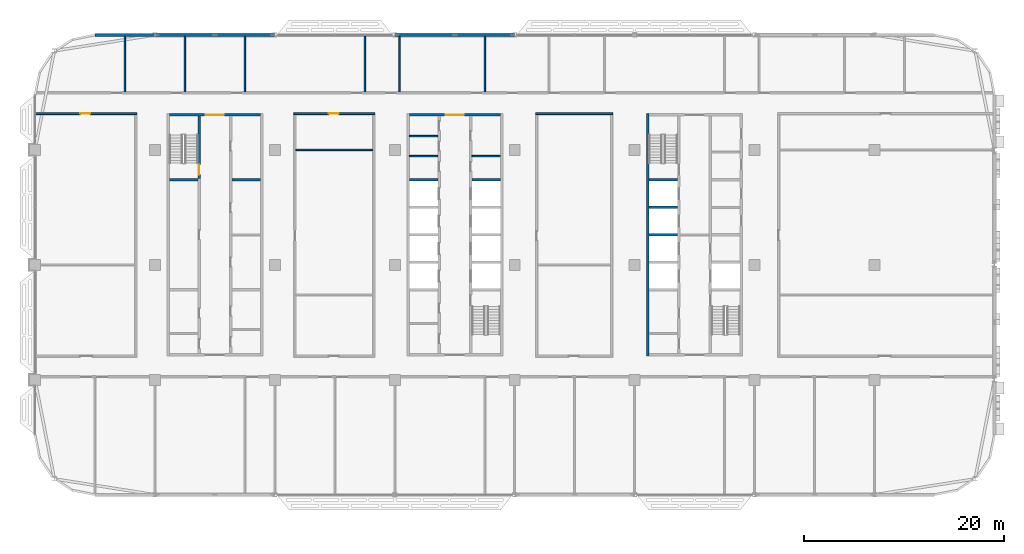
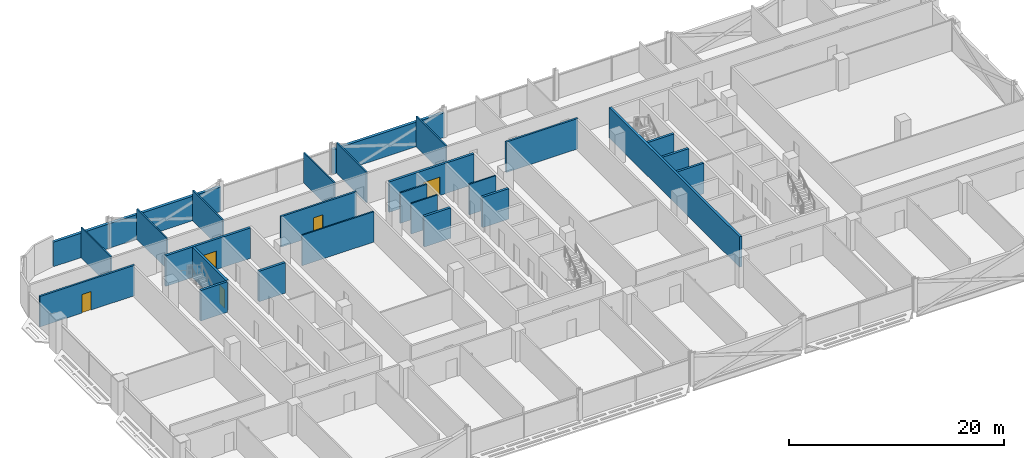
# One storey, part 15 of 30: 27 walls, 5 doors, 5 openings.
"""IFC4 building model written with IfcOpenShell, lengths in metres."""

from ifc_helpers import new_model, si_unit, direction, frame, frame_2d, origin, place, context, subcontext, project, spatial, rectangle, extrude, material, layer, layer_set, type_object, element, fill, save


model = new_model("IFC4")

# Units and contexts
model_context = context("Model", 3, precision=1e-05, world=origin(), true_north=direction((0.0, 1.0)))
body_context = subcontext(model_context, "Body", "Model", "MODEL_VIEW")
ifc_project = project(units=[si_unit("LENGTHUNIT", "METRE"), si_unit("AREAUNIT", "SQUARE_METRE"), si_unit("VOLUMEUNIT", "CUBIC_METRE"), si_unit("PLANEANGLEUNIT", "RADIAN"), si_unit("MASSUNIT", "GRAM", prefix="KILO")], contexts=[model_context])

# Site, building, storey
site_placement = place(None, origin())
site = spatial("IfcSite", under=ifc_project, at=site_placement, CompositionType="ELEMENT")
building_placement = place(site_placement, origin())
building = spatial("IfcBuilding", under=site, at=building_placement, Name="Mahtab Terrace Research Tower", CompositionType="ELEMENT")
storey_placement = place(building_placement, frame((0.0, 0.0, 205.300048828125)))
storey = spatial("IfcBuildingStorey", under=building, at=storey_placement, Name="L49", CompositionType="ELEMENT", Elevation=205.300048828125)

# Walls
ifc_material_1 = material(Name="Gypsum board partition")
ifc_layer_1 = layer(ifc_material_1, 0.14990234375)
ifc_layer_set_1 = layer_set([ifc_layer_1], Name="Core partition 150")
wall_type_1 = type_object("IfcWallType", Name="Core partition 150", PredefinedType="PARTITIONING", material=ifc_layer_set_1)
for number, where, z_axis, x_axis, name in (
    (1, (-4.550048828125, 10.875, 0.0), (0.0, 0.0, 1.0), (1.0, 0.0, 0.0), "Core wall B pWN788"),
    (2, (-4.550048828125, 12.875, 0.0), (0.0, 0.0, 1.0), (1.0, 0.0, 0.0), "Core wall B pWN988"),
    (3, (1.699951171875, 10.875, 0.0), (0.0, 0.0, 1.0), (1.0, 0.0, 0.0), "Core wall B pEN788"),
):
    element("IfcWall", number, at=place(storey_placement, frame(where, z_axis=z_axis, x_axis=x_axis)), inside=storey, type_object=wall_type_1, Name=name, PredefinedType="PARTITIONING", context=body_context, shape_type="SweptSolid", body=[
        extrude(rectangle(XDim=2.85009765625, YDim=0.14990234375, at=frame_2d((1.425048828125, 0.0))), origin(), (0.0, 0.0, 1.0), 3.4599609375),
    ])

# Wall, opening, door
ifc_material_2 = material(Name="Concrete C70/85", Category="concrete")
ifc_layer_2 = layer(ifc_material_2, 0.25)
ifc_layer_set_2 = layer_set([ifc_layer_2], Name="Core wall 250")
wall_type_2 = type_object("IfcWallType", Name="Core wall 250", PredefinedType="SOLIDWALL", material=ifc_layer_set_2)
wall_1_placement = place(storey_placement, frame((-28.550048828125, 15.0, 0.0), z_axis=(0.0, 0.0, 1.0), x_axis=(1.0, 0.0, 0.0)))
wall_1 = element("IfcWall", 4, at=wall_1_placement, inside=storey, type_object=wall_type_2, Name="Core wall A endN", PredefinedType="SOLIDWALL", context=body_context, shape_type="SweptSolid", body=[
    extrude(rectangle(XDim=9.10009765625, YDim=0.25, at=frame_2d((4.550048828125, 0.0))), origin(), (0.0, 0.0, 1.0), 3.4599609375),
])
opening_1_placement = place(wall_1_placement, frame((3.64990234375, 0.0, 0.0)))
opening_1 = element("IfcOpeningElement", 5, at=opening_1_placement, cuts=wall_1, Name="Opening A-N1", PredefinedType="OPENING", context=body_context, shape_type="SweptSolid", body=[
    extrude(rectangle(XDim=1.800048828125, YDim=2.10009765625, at=frame_2d((0.89990234375, 1.050048828125))), frame((0.0, 0.135009765625, 0.0), z_axis=(0.0, -1.0, 0.0), x_axis=(1.0, 0.0, 0.0)), (0.0, 0.0, 1.0), 0.27001953125),
])
ifc_material_3 = material(Name="Steel fire door", Category="steel")
door_type_1 = type_object("IfcDoorType", Name="Lobby double door 1800x2100 1 HR", OperationType="DOUBLE_DOOR_SINGLE_SWING", PredefinedType="DOOR", material=ifc_material_3)
door_1_placement = place(opening_1_placement, origin())
door_1 = element("IfcDoor", 6, at=door_1_placement, inside=storey, type_object=door_type_1, Name="Core entrance door A N", OperationType="DOUBLE_DOOR_SINGLE_SWING", OverallHeight=2.10009765625, OverallWidth=1.800048828125, PredefinedType="DOOR", context=body_context, shape_type="SweptSolid", body=[
    extrude(rectangle(XDim=1.800048828125, YDim=2.10009765625, at=frame_2d((0.89990234375, 1.050048828125))), frame((0.0, 0.02490234375, 0.0), z_axis=(0.0, -1.0, 0.0), x_axis=(1.0, 0.0, 0.0)), (0.0, 0.0, 1.0), 0.050048828125),
])
fill(opening_1, door_1)

wall_2_placement = place(storey_placement, frame((-25.574951171875, 14.875, 0.0), z_axis=(0.0, 0.0, 1.0), x_axis=(0.0, -1.0, 0.0)))
wall_2 = element("IfcWall", 7, at=wall_2_placement, inside=storey, type_object=wall_type_2, Name="Core wall A innerWN", PredefinedType="SOLIDWALL", context=body_context, shape_type="SweptSolid", body=[
    extrude(rectangle(XDim=6.25, YDim=0.25, at=frame_2d((3.125, 0.0))), origin(), (0.0, 0.0, 1.0), 3.4599609375),
])
opening_2_placement = place(wall_2_placement, frame((4.85009765625, 0.0, 0.0)))
opening_2 = element("IfcOpeningElement", 8, at=opening_2_placement, cuts=wall_2, Name="Opening A-ST1", PredefinedType="OPENING", context=body_context, shape_type="SweptSolid", body=[
    extrude(rectangle(XDim=1.0, YDim=2.10009765625, at=frame_2d((0.5, 1.050048828125))), frame((0.0, 0.135009765625, 0.0), z_axis=(0.0, -1.0, 0.0), x_axis=(1.0, 0.0, 0.0)), (0.0, 0.0, 1.0), 0.27001953125),
])
door_type_2 = type_object("IfcDoorType", Name="Stair door 1000x2100 1.5 HR", OperationType="NOTDEFINED", PredefinedType="DOOR", material=ifc_material_3)
door_2_placement = place(opening_2_placement, origin())
door_2 = element("IfcDoor", 9, at=door_2_placement, inside=storey, type_object=door_type_2, Name="Stair door ST1 L49", OperationType="SINGLE_SWING_LEFT", OverallHeight=2.10009765625, OverallWidth=1.0, PredefinedType="DOOR", context=body_context, shape_type="SweptSolid", body=[
    extrude(rectangle(XDim=1.0, YDim=2.10009765625, at=frame_2d((0.5, 1.050048828125))), frame((0.0, 0.02490234375, 0.0), z_axis=(0.0, -1.0, 0.0), x_axis=(1.0, 0.0, 0.0)), (0.0, 0.0, 1.0), 0.050048828125),
])
fill(opening_2, door_2)

# Walls
for number, where, z_axis, x_axis, name in (
    (10, (-28.550048828125, 8.5, 0.0), (0.0, 0.0, 1.0), (1.0, 0.0, 0.0), "Core wall A divW4"),
    (11, (-22.300048828125, 8.5, 0.0), (0.0, 0.0, 1.0), (1.0, 0.0, 0.0), "Core wall A divE4"),
):
    element("IfcWall", number, at=place(storey_placement, frame(where, z_axis=z_axis, x_axis=x_axis)), inside=storey, type_object=wall_type_2, Name=name, PredefinedType="SOLIDWALL", context=body_context, shape_type="SweptSolid", body=[
        extrude(rectangle(XDim=2.85009765625, YDim=0.25, at=frame_2d((1.425048828125, 0.0))), origin(), (0.0, 0.0, 1.0), 3.4599609375),
    ])

# Wall, opening, door
wall_3_placement = place(storey_placement, frame((-4.550048828125, 15.0, 0.0), z_axis=(0.0, 0.0, 1.0), x_axis=(1.0, 0.0, 0.0)))
wall_3 = element("IfcWall", 12, at=wall_3_placement, inside=storey, type_object=wall_type_2, Name="Core wall B endN", PredefinedType="SOLIDWALL", context=body_context, shape_type="SweptSolid", body=[
    extrude(rectangle(XDim=9.10009765625, YDim=0.25, at=frame_2d((4.550048828125, 0.0))), origin(), (0.0, 0.0, 1.0), 3.4599609375),
])
opening_3_placement = place(wall_3_placement, frame((3.64990234375, 0.0, 0.0)))
opening_3 = element("IfcOpeningElement", 13, at=opening_3_placement, cuts=wall_3, Name="Opening B-N1", PredefinedType="OPENING", context=body_context, shape_type="SweptSolid", body=[
    extrude(rectangle(XDim=1.800048828125, YDim=2.10009765625, at=frame_2d((0.89990234375, 1.050048828125))), frame((0.0, 0.135009765625, 0.0), z_axis=(0.0, -1.0, 0.0), x_axis=(1.0, 0.0, 0.0)), (0.0, 0.0, 1.0), 0.27001953125),
])
door_3_placement = place(opening_3_placement, origin())
door_3 = element("IfcDoor", 14, at=door_3_placement, inside=storey, type_object=door_type_1, Name="Core entrance door B N", OperationType="DOUBLE_DOOR_SINGLE_SWING", OverallHeight=2.10009765625, OverallWidth=1.800048828125, PredefinedType="DOOR", context=body_context, shape_type="SweptSolid", body=[
    extrude(rectangle(XDim=1.800048828125, YDim=2.10009765625, at=frame_2d((0.89990234375, 1.050048828125))), frame((0.0, 0.02490234375, 0.0), z_axis=(0.0, -1.0, 0.0), x_axis=(1.0, 0.0, 0.0)), (0.0, 0.0, 1.0), 0.050048828125),
])
fill(opening_3, door_3)

# Walls
for number, where, z_axis, x_axis, name in (
    (15, (-4.550048828125, 8.5, 0.0), (0.0, 0.0, 1.0), (1.0, 0.0, 0.0), "Core wall B divW4"),
    (16, (1.699951171875, 8.5, 0.0), (0.0, 0.0, 1.0), (1.0, 0.0, 0.0), "Core wall B divE4"),
):
    element("IfcWall", number, at=place(storey_placement, frame(where, z_axis=z_axis, x_axis=x_axis)), inside=storey, type_object=wall_type_2, Name=name, PredefinedType="SOLIDWALL", context=body_context, shape_type="SweptSolid", body=[
        extrude(rectangle(XDim=2.85009765625, YDim=0.25, at=frame_2d((1.425048828125, 0.0))), origin(), (0.0, 0.0, 1.0), 3.4599609375),
    ])
wall_4_placement = place(storey_placement, frame((19.324951171875, 15.125, 0.0), z_axis=(0.0, 0.0, 1.0), x_axis=(0.0, -1.0, 0.0)))
element("IfcWall", 17, at=wall_4_placement, inside=storey, type_object=wall_type_2, Name="Core wall C outerW", PredefinedType="SOLIDWALL", context=body_context, shape_type="SweptSolid", body=[
    extrude(rectangle(XDim=24.25, YDim=0.25, at=frame_2d((12.125, 0.0))), origin(), (0.0, 0.0, 1.0), 3.4599609375),
])
for number, where, z_axis, x_axis, name in (
    (18, (19.449951171875, 3.0, 0.0), (0.0, 0.0, 1.0), (1.0, 0.0, 0.0), "Core wall C divW2"),
    (19, (19.449951171875, 5.75, 0.0), (0.0, 0.0, 1.0), (1.0, 0.0, 0.0), "Core wall C divW3"),
    (20, (19.449951171875, 8.5, 0.0), (0.0, 0.0, 1.0), (1.0, 0.0, 0.0), "Core wall C divW4"),
):
    element("IfcWall", number, at=place(storey_placement, frame(where, z_axis=z_axis, x_axis=x_axis)), inside=storey, type_object=wall_type_2, Name=name, PredefinedType="SOLIDWALL", context=body_context, shape_type="SweptSolid", body=[
        extrude(rectangle(XDim=2.85009765625, YDim=0.25, at=frame_2d((1.425048828125, 0.0))), origin(), (0.0, 0.0, 1.0), 3.4599609375),
    ])
ifc_material_4 = material(Name="Black aluminium cladding panel", Category="aluminium")
ifc_layer_3 = layer(ifc_material_4, 0.300048828125)
ifc_layer_set_3 = layer_set([ifc_layer_3], Name="Opaque facade wall 300")
wall_type_3 = type_object("IfcWallType", Name="Opaque facade wall 300", PredefinedType="NOTDEFINED", material=ifc_layer_set_3)
for number, where, z_axis, x_axis, name in (
    (21, (5.987548828125, 23.0, 0.0), (0.0, 0.0, 1.0), (-1.0, 0.0, 0.0), "Opaque facade wall L49 N7"),
    (22, (-18.012451171875, 23.0, 0.0), (0.0, 0.0, 1.0), (-1.0, 0.0, 0.0), "Opaque facade wall L49 N9"),
):
    element("IfcWall", number, at=place(storey_placement, frame(where, z_axis=z_axis, x_axis=x_axis)), inside=storey, type_object=wall_type_3, Name=name, PredefinedType="NOTDEFINED", context=body_context, shape_type="SweptSolid", body=[
        extrude(rectangle(XDim=11.97509765625, YDim=0.300048828125, at=frame_2d((5.987548828125, 0.0))), origin(), (0.0, 0.0, 1.0), 2.78173828125),
    ])
wall_5_placement = place(storey_placement, frame((-30.012451171875, 23.0, 0.0), z_axis=(0.0, 0.0, 1.0), x_axis=(-1.0, 0.0, 0.0)))
element("IfcWall", 23, at=wall_5_placement, inside=storey, type_object=wall_type_3, Name="Opaque facade wall L49 N10", PredefinedType="NOTDEFINED", context=body_context, shape_type="SweptSolid", body=[
    extrude(rectangle(XDim=5.987548828125, YDim=0.300048828125, at=frame_2d((2.99365234375, 0.0))), origin(), (0.0, 0.0, 1.0), 2.78173828125),
])

# Wall, opening, door
ifc_material_5 = material(Name="Gypsum board corridor wall on steel studs", Category="steel")
ifc_layer_4 = layer(ifc_material_5, 0.199951171875)
ifc_layer_set_4 = layer_set([ifc_layer_4], Name="WALL CORRIDOR 200")
wall_type_4 = type_object("IfcWallType", Name="WALL CORRIDOR 200", PredefinedType="PARTITIONING", material=ifc_layer_set_4)
wall_6_placement = place(storey_placement, frame((-41.97509765625, 15.125, 0.0), z_axis=(0.0, 0.0, 1.0), x_axis=(1.0, 0.0, 0.0)))
wall_6 = element("IfcWall", 24, at=wall_6_placement, inside=storey, type_object=wall_type_4, Name="L49-W020", PredefinedType="PARTITIONING", context=body_context, shape_type="SweptSolid", body=[
    extrude(rectangle(XDim=10.175048828125, YDim=0.199951171875, at=frame_2d((5.08740234375, 0.0))), origin(), (0.0, 0.0, 1.0), 3.4599609375),
])
opening_4_placement = place(wall_6_placement, frame((4.5, 0.0, 0.0)))
opening_4 = element("IfcOpeningElement", 25, at=opening_4_placement, cuts=wall_6, Name="Opening L49-122", PredefinedType="OPENING", context=body_context, shape_type="SweptSolid", body=[
    extrude(rectangle(XDim=1.0, YDim=2.10009765625, at=frame_2d((0.5, 1.050048828125))), frame((0.0, 0.10986328125, 0.0), z_axis=(0.0, -1.0, 0.0), x_axis=(1.0, 0.0, 0.0)), (0.0, 0.0, 1.0), 0.219970703125),
])
ifc_material_6 = material(Name="Timber door leaf in steel frame", Category="steel")
door_type_3 = type_object("IfcDoorType", Name="DOOR 1000X2100 FD30S", OperationType="SINGLE_SWING_LEFT", PredefinedType="DOOR", material=ifc_material_6)
door_4_placement = place(opening_4_placement, origin())
door_4 = element("IfcDoor", 26, at=door_4_placement, inside=storey, type_object=door_type_3, Name="Door L49-122", OperationType="SINGLE_SWING_RIGHT", OverallHeight=2.10009765625, OverallWidth=1.0, PredefinedType="DOOR", context=body_context, shape_type="SweptSolid", body=[
    extrude(rectangle(XDim=1.0, YDim=2.10009765625, at=frame_2d((0.5, 1.050048828125))), frame((0.0, 0.02490234375, 0.0), z_axis=(0.0, -1.0, 0.0), x_axis=(1.0, 0.0, 0.0)), (0.0, 0.0, 1.0), 0.050048828125),
])
fill(opening_4, door_4)

wall_7_placement = place(storey_placement, frame((-16.10009765625, 15.125, 0.0), z_axis=(0.0, 0.0, 1.0), x_axis=(1.0, 0.0, 0.0)))
wall_7 = element("IfcWall", 27, at=wall_7_placement, inside=storey, type_object=wall_type_4, Name="L49-W021", PredefinedType="PARTITIONING", context=body_context, shape_type="SweptSolid", body=[
    extrude(rectangle(XDim=8.10009765625, YDim=0.199951171875, at=frame_2d((4.050048828125, 0.0))), origin(), (0.0, 0.0, 1.0), 3.4599609375),
])
opening_5_placement = place(wall_7_placement, frame((3.5, 0.0, 0.0)))
opening_5 = element("IfcOpeningElement", 28, at=opening_5_placement, cuts=wall_7, Name="Opening L49-124", PredefinedType="OPENING", context=body_context, shape_type="SweptSolid", body=[
    extrude(rectangle(XDim=1.0, YDim=2.10009765625, at=frame_2d((0.5, 1.050048828125))), frame((0.0, 0.10986328125, 0.0), z_axis=(0.0, -1.0, 0.0), x_axis=(1.0, 0.0, 0.0)), (0.0, 0.0, 1.0), 0.219970703125),
])
door_5_placement = place(opening_5_placement, origin())
door_5 = element("IfcDoor", 29, at=door_5_placement, inside=storey, type_object=door_type_3, Name="Door L49-124", OperationType="SINGLE_SWING_RIGHT", OverallHeight=2.10009765625, OverallWidth=1.0, PredefinedType="DOOR", context=body_context, shape_type="SweptSolid", body=[
    extrude(rectangle(XDim=1.0, YDim=2.10009765625, at=frame_2d((0.5, 1.050048828125))), frame((0.0, 0.02490234375, 0.0), z_axis=(0.0, -1.0, 0.0), x_axis=(1.0, 0.0, 0.0)), (0.0, 0.0, 1.0), 0.050048828125),
])
fill(opening_5, door_5)

# Walls
wall_8_placement = place(storey_placement, frame((8.10009765625, 15.125, 0.0), z_axis=(0.0, 0.0, 1.0), x_axis=(1.0, 0.0, 0.0)))
element("IfcWall", 30, at=wall_8_placement, inside=storey, type_object=wall_type_4, Name="L49-W022", PredefinedType="PARTITIONING", context=body_context, shape_type="SweptSolid", body=[
    extrude(rectangle(XDim=7.699951171875, YDim=0.199951171875, at=frame_2d((3.85009765625, 0.0))), origin(), (0.0, 0.0, 1.0), 3.4599609375),
])
ifc_material_7 = material(Name="Gypsum board partition on steel studs", Category="steel")
ifc_layer_5 = layer(ifc_material_7, 0.14990234375)
ifc_layer_set_5 = layer_set([ifc_layer_5], Name="WALL PARTITION 150")
wall_type_5 = type_object("IfcWallType", Name="WALL PARTITION 150", PredefinedType="PARTITIONING", material=ifc_layer_set_5)
wall_9_placement = place(storey_placement, frame((-15.89990234375, 11.5, 0.0), z_axis=(0.0, 0.0, 1.0), x_axis=(1.0, 0.0, 0.0)))
element("IfcWall", 31, at=wall_9_placement, inside=storey, type_object=wall_type_5, Name="L49-W017", PredefinedType="PARTITIONING", context=body_context, shape_type="SweptSolid", body=[
    extrude(rectangle(XDim=7.699951171875, YDim=0.14990234375, at=frame_2d((3.85009765625, 0.0))), origin(), (0.0, 0.0, 1.0), 3.4599609375),
])
for number, where, z_axis, x_axis, name in (
    (32, (-33.0, 17.300048828125, 0.0), (0.0, 0.0, 1.0), (0.0, 1.0, 0.0), "L49-W026"),
    (33, (-27.0, 17.300048828125, 0.0), (0.0, 0.0, 1.0), (0.0, 1.0, 0.0), "L49-W029"),
    (34, (-21.0, 17.300048828125, 0.0), (0.0, 0.0, 1.0), (0.0, 1.0, 0.0), "L49-W031"),
):
    element("IfcWall", number, at=place(storey_placement, frame(where, z_axis=z_axis, x_axis=x_axis)), inside=storey, type_object=wall_type_5, Name=name, PredefinedType="PARTITIONING", context=body_context, shape_type="SweptSolid", body=[
        extrude(rectangle(XDim=5.550048828125, YDim=0.14990234375, at=frame_2d((2.77490234375, 0.0))), origin(), (0.0, 0.0, 1.0), 3.4599609375),
    ])
wall_10_placement = place(storey_placement, frame((-9.0, 17.300048828125, 0.0), z_axis=(0.0, 0.0, 1.0), x_axis=(0.0, 1.0, 0.0)))
element("IfcWall", 35, at=wall_10_placement, inside=storey, type_object=wall_type_5, Name="L49-W035", PredefinedType="PARTITIONING", context=body_context, shape_type="SweptSolid", body=[
    extrude(rectangle(XDim=5.675048828125, YDim=0.14990234375, at=frame_2d((2.83740234375, 0.0))), origin(), (0.0, 0.0, 1.0), 3.4599609375),
])
for number, where, z_axis, x_axis, name in (
    (36, (-5.550048828125, 17.300048828125, 0.0), (0.0, 0.0, 1.0), (0.0, 1.0, 0.0), "L49-W038"),
    (37, (3.0, 17.300048828125, 0.0), (0.0, 0.0, 1.0), (0.0, 1.0, 0.0), "L49-W040"),
):
    element("IfcWall", number, at=place(storey_placement, frame(where, z_axis=z_axis, x_axis=x_axis)), inside=storey, type_object=wall_type_5, Name=name, PredefinedType="PARTITIONING", context=body_context, shape_type="SweptSolid", body=[
        extrude(rectangle(XDim=5.550048828125, YDim=0.14990234375, at=frame_2d((2.77490234375, 0.0))), origin(), (0.0, 0.0, 1.0), 3.4599609375),
    ])

save(model, "model.ifc")
